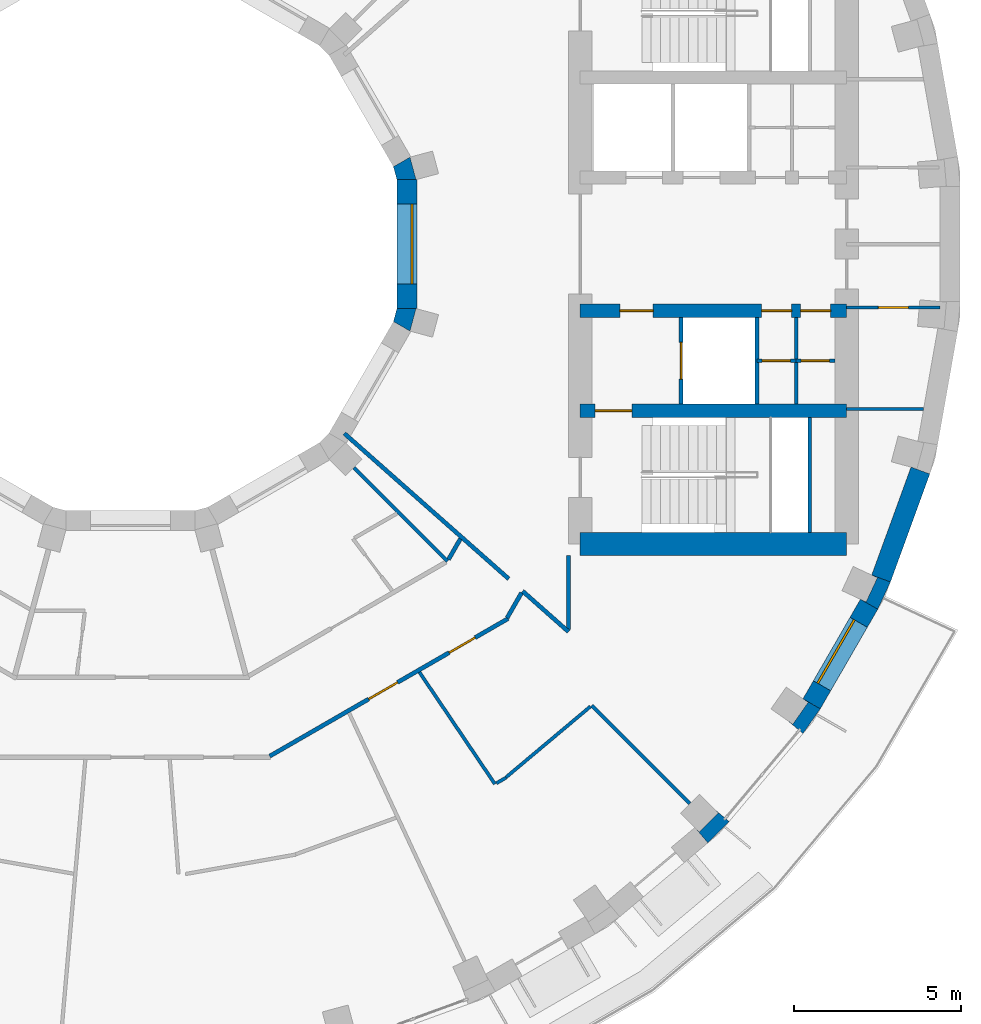
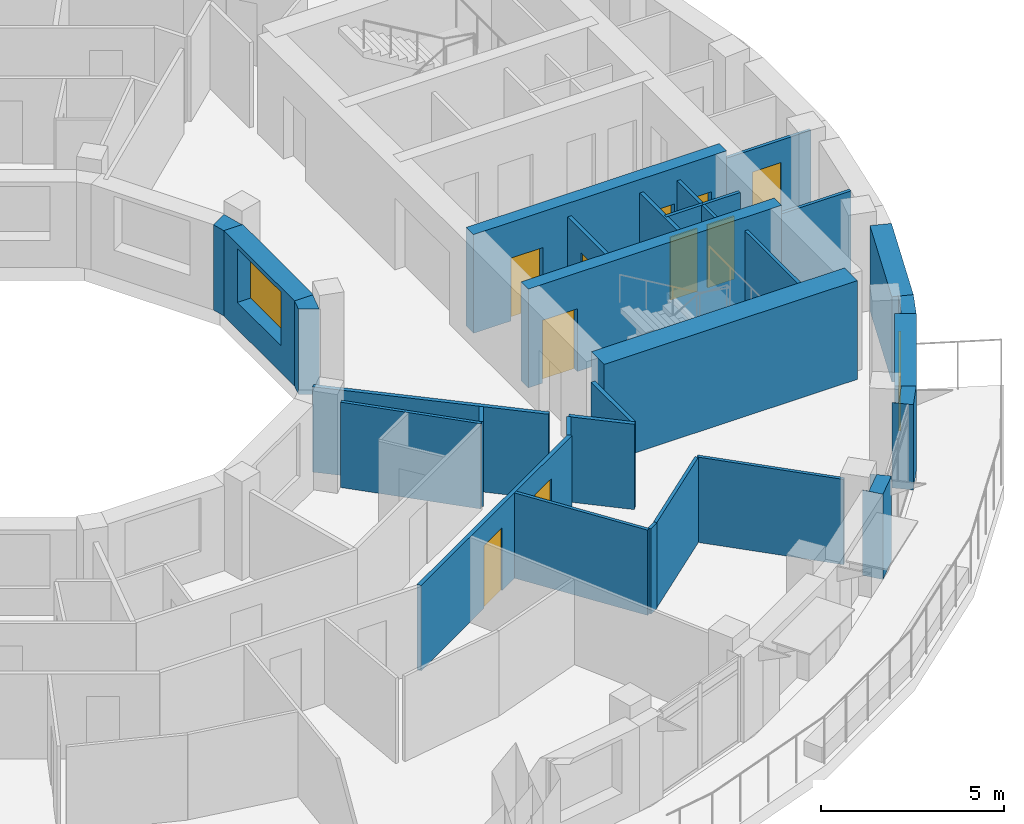
# One storey, part 9 of 15: 30 walls, 10 doors, 2 windows, 12 openings.
"""IFC4 building model written with IfcOpenShell, lengths in metres."""

import ifcopenshell
import ifcopenshell.guid

model = None  # the IFC model being written
_history = None  # IfcOwnerHistory: only IFC2X3 demands one
_inside = {}  # id of a spatial element -> (the spatial element, [elements in it])
_under = {}  # id of a project, library or spatial element -> (it, [spatial elements below it])
_declared = {}  # id of a project -> (the project, [libraries it declares])
_typed = {}  # id of a type object -> (the type object, [elements of that type])
_made_of = {}  # id of a material, layer set ... -> (it, [elements and type objects made of it])


def new_model(schema):
    """Start an empty IFC model of exactly this schema.

    Asked for "IFC4X3", IfcOpenShell would pick the latest addendum, in which some entities
    have other attributes; the version numbers below select the first issue.
    IFC2X3 requires an IfcOwnerHistory on every rooted entity: one is made here for all.
    """
    global model, _history
    if schema == "IFC4X3":
        model = ifcopenshell.file(schema_version=(4, 3, 0, 0))
    else:
        model = ifcopenshell.file(schema=schema)
    _inside.clear()
    _under.clear()
    _declared.clear()
    _typed.clear()
    _made_of.clear()
    _history = None
    if model.schema == "IFC2X3":
        org = make("IfcOrganization", Name="unknown")
        user = make(
            "IfcPersonAndOrganization",
            ThePerson=make("IfcPerson", FamilyName="unknown"),
            TheOrganization=org,
        )
        app = make(
            "IfcApplication",
            ApplicationDeveloper=org,
            Version="unknown",
            ApplicationFullName="unknown",
            ApplicationIdentifier="unknown",
        )
        _history = make(
            "IfcOwnerHistory",
            OwningUser=user,
            OwningApplication=app,
            ChangeAction="ADDED",
            CreationDate=0,
        )
    return model


def make(cls, **values):
    """One entity of the class cls with the attributes given. An attribute that is None is left unset."""
    return model.create_entity(
        cls, **{name: value for name, value in values.items() if value is not None}
    )


def rooted(cls, **values):
    """An entity with a GlobalId (a new one), such as an element, a storey or a relation."""
    return make(cls, GlobalId=ifcopenshell.guid.new(), OwnerHistory=_history, **values)


def si_unit(unit_type, name, prefix=None):
    """IfcSIUnit, for example si_unit("LENGTHUNIT", "METRE", prefix="MILLI")."""
    return make("IfcSIUnit", UnitType=unit_type, Prefix=prefix, Name=name)


def assignment(units):
    """IfcUnitAssignment: the units of a project."""
    return None if units is None else make("IfcUnitAssignment", Units=units)


def point(xyz):
    """IfcCartesianPoint."""
    return None if xyz is None else make("IfcCartesianPoint", Coordinates=xyz)


def direction(xyz):
    """IfcDirection."""
    return None if xyz is None else make("IfcDirection", DirectionRatios=xyz)


def frame(location, z_axis=None, x_axis=None):
    """IfcAxis2Placement3D, a coordinate frame: its origin and axes. An axis left out is left unset."""
    return make(
        "IfcAxis2Placement3D",
        Location=point(location),
        Axis=direction(z_axis),
        RefDirection=direction(x_axis),
    )


def frame_2d(location, x_axis=None):
    """IfcAxis2Placement2D, a coordinate frame in the plane: its origin and x axis."""
    return make(
        "IfcAxis2Placement2D", Location=point(location), RefDirection=direction(x_axis)
    )


def origin():
    """The frame at (0, 0, 0) with its axes left unset."""
    return frame((0.0, 0.0, 0.0))


def place(relative_to, where):
    """IfcLocalPlacement: puts the frame where relative to a parent placement (None: the world)."""
    return make(
        "IfcLocalPlacement", PlacementRelTo=relative_to, RelativePlacement=where
    )


def context(
    kind, dimensions, precision=None, world=None, true_north=None, identifier=None
):
    """IfcGeometricRepresentationContext, for example the 3D "Model" context."""
    return make(
        "IfcGeometricRepresentationContext",
        ContextIdentifier=identifier,
        ContextType=kind,
        CoordinateSpaceDimension=dimensions,
        Precision=precision,
        WorldCoordinateSystem=world,
        TrueNorth=true_north,
    )


def subcontext(parent, identifier, kind, view, scale=None):
    """IfcGeometricRepresentationSubContext, for example "Body" below "Model"."""
    return make(
        "IfcGeometricRepresentationSubContext",
        ContextIdentifier=identifier,
        ContextType=kind,
        ParentContext=parent,
        TargetScale=scale,
        TargetView=view,
    )


def project(units=None, contexts=None):
    """IfcProject with its units and contexts."""
    return rooted(
        "IfcProject",
        Name="project",
        RepresentationContexts=contexts,
        UnitsInContext=assignment(units),
    )


def spatial(cls, under=None, at=None, **own):
    """A site, building, storey or space (cls), placed at a placement, below another one or the project."""
    s = rooted(cls, ObjectPlacement=at, **own)
    if under is not None:
        _under.setdefault(under.id(), (under, []))[1].append(s)
    return s


def polyline(points):
    """IfcPolyline through the points."""
    return make("IfcPolyline", Points=[point(p) for p in points])


def profile(cls, at=None, kind="AREA", **sizes):
    """A parametric profile (cls). Its sizes go by their IFC names, for example OverallWidth=200.0."""
    return make(cls, ProfileType=kind, Position=at, **sizes)


def rectangle(**sizes):
    """IfcRectangleProfileDef."""
    return profile("IfcRectangleProfileDef", **sizes)


def outline(outer, holes=None, kind="AREA"):
    """IfcArbitraryClosedProfileDef: a profile drawn as a closed curve; with holes, ...WithVoids."""
    if holes is None:
        return make("IfcArbitraryClosedProfileDef", ProfileType=kind, OuterCurve=outer)
    return make(
        "IfcArbitraryProfileDefWithVoids",
        ProfileType=kind,
        OuterCurve=outer,
        InnerCurves=holes,
    )


def extrude(swept, where, along, depth):
    """IfcExtrudedAreaSolid: the profile swept, set in the frame where, extruded along a direction by depth."""
    return make(
        "IfcExtrudedAreaSolid",
        SweptArea=swept,
        Position=where,
        ExtrudedDirection=direction(along),
        Depth=depth,
    )


def shape(context_of_items, identifier, shape_type, items):
    """IfcShapeRepresentation: the items that make up one representation, for example the "Body"."""
    return make(
        "IfcShapeRepresentation",
        ContextOfItems=context_of_items,
        RepresentationIdentifier=identifier,
        RepresentationType=shape_type,
        Items=items,
    )


def material(Name=None, Category=None):
    """IfcMaterial."""
    return make("IfcMaterial", Name=Name, Category=Category)


def layer(
    of_material, thickness, ventilated=None, Name=None, Category=None, Priority=None
):
    """IfcMaterialLayer: one layer of a wall or slab, of a material (None: an air gap)."""
    return make(
        "IfcMaterialLayer",
        Material=of_material,
        LayerThickness=thickness,
        IsVentilated=ventilated,
        Name=Name,
        Category=Category,
        Priority=Priority,
    )


def layer_set(layers, Name=None):
    """IfcMaterialLayerSet."""
    return make("IfcMaterialLayerSet", MaterialLayers=layers, LayerSetName=Name)


def made_of(thing, what):
    """Note that an element or type object is made of a material, layer set ...; save() writes the relation."""
    if what is not None:
        _made_of.setdefault(what.id(), (what, []))[1].append(thing)
    return thing


def type_object(cls, material=None, **own):
    """A type object (cls), such as IfcWallType, which elements share."""
    return made_of(rooted(cls, **own), material)


def element(
    cls,
    number,
    at=None,
    inside=None,
    cuts=None,
    type_object=None,
    material=None,
    context=None,
    identifier="Body",
    shape_type=None,
    held_by="IfcProductDefinitionShape",
    body=None,
    shapes=None,
    **own,
):
    """One element of the class cls, such as IfcWall. Its Tag is "e" and its number.

    at: its placement. inside: the storey or other place that contains it. cuts: it is an
    opening in that element (IfcRelVoidsElement). A single representation is given by context,
    identifier, shape_type and body (its items); several are given by shapes. held_by: the class
    of the entity that holds the representations. save() writes the other relations.
    """
    e = rooted(cls, Tag="e%d" % number, ObjectPlacement=at, **own)
    if body is not None:
        shapes = [shape(context, identifier, shape_type, body)]
    if shapes is not None:
        e.Representation = make(held_by, Representations=shapes)
    if inside is not None:
        _inside.setdefault(inside.id(), (inside, []))[1].append(e)
    if cuts is not None:
        rooted(
            "IfcRelVoidsElement", RelatingBuildingElement=cuts, RelatedOpeningElement=e
        )
    if type_object is not None:
        _typed.setdefault(type_object.id(), (type_object, []))[1].append(e)
    return made_of(e, material)


def fill(opening, filler):
    """IfcRelFillsElement: the door or window that sits in an opening."""
    return rooted(
        "IfcRelFillsElement",
        RelatingOpeningElement=opening,
        RelatedBuildingElement=filler,
    )


def aggregate(whole, parts):
    """IfcRelAggregates: a whole, such as a stair, and the parts it consists of."""
    return rooted("IfcRelAggregates", RelatingObject=whole, RelatedObjects=parts)


def save(model, path):
    """Write the relations noted so far, then the file.

    IfcRelAggregates (storeys below a building ...), IfcRelContainedInSpatialStructure (elements
    in a storey), IfcRelDefinesByType, IfcRelAssociatesMaterial and IfcRelDeclares: one each for
    every whole, place, type object, material and project.
    """
    for whole, parts in _under.values():
        aggregate(whole, parts)
    for where, things in _inside.values():
        rooted(
            "IfcRelContainedInSpatialStructure",
            RelatedElements=things,
            RelatingStructure=where,
        )
    for kind, things in _typed.values():
        rooted("IfcRelDefinesByType", RelatedObjects=things, RelatingType=kind)
    for what, things in _made_of.values():
        rooted("IfcRelAssociatesMaterial", RelatedObjects=things, RelatingMaterial=what)
    for by, libraries in _declared.values():
        rooted("IfcRelDeclares", RelatingContext=by, RelatedDefinitions=libraries)
    model.write(path)


model = new_model("IFC4")

# Units and contexts
model_context = context("Model", 3, precision=1e-05, world=origin(), true_north=direction((0.0, 1.0)))
body_context = subcontext(model_context, "Body", "Model", "MODEL_VIEW")
ifc_project = project(units=[si_unit("LENGTHUNIT", "METRE"), si_unit("AREAUNIT", "SQUARE_METRE"), si_unit("VOLUMEUNIT", "CUBIC_METRE"), si_unit("PLANEANGLEUNIT", "RADIAN"), si_unit("MASSUNIT", "GRAM", prefix="KILO")], contexts=[model_context])

# Site, building, storey
site_placement = place(None, origin())
site = spatial("IfcSite", under=ifc_project, at=site_placement, CompositionType="ELEMENT")
building_placement = place(site_placement, origin())
building = spatial("IfcBuilding", under=site, at=building_placement, Name="Saqina Gate Tower", CompositionType="ELEMENT")
storey_placement = place(building_placement, frame((0.0, 0.0, 160.800048828125)))
storey = spatial("IfcBuildingStorey", under=building, at=storey_placement, Name="L45", CompositionType="ELEMENT", Elevation=160.800048828125)

# Walls
ifc_material_1 = material(Name="Brick masonry (buff)", Category="masonry")
wall_type_1 = type_object("IfcWallType", Name="BRICK PIER COPING BUFF", PredefinedType="SOLIDWALL", material=ifc_material_1)
wall_1_placement = place(storey_placement, origin())
element("IfcWall", 1, at=wall_1_placement, inside=storey, type_object=wall_type_1, Name="Pier cap L45 column 32", PredefinedType="SOLIDWALL", context=body_context, shape_type="SweptSolid", body=[
    extrude(outline(polyline([(17.969482421875, -17.329833984375), (17.510009765625, -16.944091796875), (17.642333984375, -17.07666015625), (17.07666015625, -17.642333984375), (16.944091796875, -17.510009765625), (17.329833984375, -17.969482421875), (17.969482421875, -17.329833984375)])), origin(), (0.0, 0.0, 1.0), 2.849853515625),
])
wall_2_placement = place(storey_placement, origin())
element("IfcWall", 2, at=wall_2_placement, inside=storey, type_object=wall_type_1, Name="Pier cap L45 column 33", PredefinedType="SOLIDWALL", context=body_context, shape_type="SweptSolid", body=[
    extrude(outline(polyline([(20.18701171875, -14.687255859375), (20.705810546875, -13.9462890625), (20.186279296875, -13.646240234375), (20.339599609375, -13.753662109375), (19.880859375, -14.408935546875), (19.727294921875, -14.301513671875), (20.18701171875, -14.687255859375)])), origin(), (0.0, 0.0, 1.0), 2.849853515625),
])
wall_3_placement = place(storey_placement, origin())
element("IfcWall", 3, at=wall_3_placement, inside=storey, type_object=wall_type_1, Name="Pier cap L45 column 34", PredefinedType="SOLIDWALL", context=body_context, shape_type="SweptSolid", body=[
    extrude(outline(polyline([(22.81298828125, -10.138916015625), (22.249267578125, -9.93359375), (22.4189453125, -10.0126953125), (22.080810546875, -10.73779296875), (21.9111328125, -10.65869140625), (22.4306640625, -10.958740234375), (22.81298828125, -10.138916015625)])), origin(), (0.0, 0.0, 1.0), 2.849853515625),
])
ifc_material_2 = material(Name="Gypsum board on steel studs", Category="steel")
ifc_layer_1 = layer(ifc_material_2, 0.10009765625)
ifc_layer_set_1 = layer_set([ifc_layer_1], Name="CORE PARTITION")
wall_type_2 = type_object("IfcWallType", Name="CORE PARTITION", PredefinedType="PARTITIONING", material=ifc_layer_set_1)
wall_4_placement = place(storey_placement, frame((21.5, -4.949951171875, 0.0), z_axis=(0.0, 0.0, 1.0), x_axis=(1.0, 0.0, 0.0)))
element("IfcWall", 4, at=wall_4_placement, inside=storey, type_object=wall_type_2, Name="L45-CP-E03", PredefinedType="PARTITIONING", context=body_context, shape_type="SweptSolid", body=[
    extrude(rectangle(XDim=2.306884765625, YDim=0.10009765625, at=frame_2d((1.1533203125, 0.0))), origin(), (0.0, 0.0, 1.0), 2.849853515625),
])

# Wall, opening, door
wall_5_placement = place(storey_placement, frame((21.5, -1.89990234375, 0.0), z_axis=(0.0, 0.0, 1.0), x_axis=(1.0, 0.0, 0.0)))
wall_5 = element("IfcWall", 5, at=wall_5_placement, inside=storey, type_object=wall_type_2, Name="L45-CP-E04", PredefinedType="PARTITIONING", context=body_context, shape_type="SweptSolid", body=[
    extrude(rectangle(XDim=2.804931640625, YDim=0.10009765625, at=frame_2d((1.40234375, 0.0))), origin(), (0.0, 0.0, 1.0), 2.849853515625),
])
opening_1_placement = place(wall_5_placement, frame((0.952392578125, 0.0, 0.0)))
opening_1 = element("IfcOpeningElement", 6, at=opening_1_placement, cuts=wall_5, Name="Opening G13-D97", PredefinedType="OPENING", context=body_context, shape_type="SweptSolid", body=[
    extrude(rectangle(XDim=0.89990234375, YDim=2.10009765625, at=frame_2d((0.449951171875, 1.050048828125))), frame((0.0, 0.06201171875, 0.0), z_axis=(0.0, -1.0, 0.0), x_axis=(1.0, 0.0, 0.0)), (0.0, 0.0, 1.0), 0.1240234375),
])
ifc_material_3 = material(Name="Steel-framed fire door leaf, EI 60", Category="steel")
door_type_1 = type_object("IfcDoorType", Name="SERVICE ROOM DOOR 900", OperationType="SINGLE_SWING_LEFT", PredefinedType="DOOR", material=ifc_material_3)
door_1_placement = place(opening_1_placement, frame((0.89990234375, 0.0, 0.0), z_axis=(0.0, 0.0, 1.0), x_axis=(-1.0, 0.0, 0.0)))
door_1 = element("IfcDoor", 7, at=door_1_placement, inside=storey, type_object=door_type_1, Name="L45-CD-E08", OperationType="SINGLE_SWING_RIGHT", OverallHeight=2.10009765625, OverallWidth=0.89990234375, PredefinedType="DOOR", context=body_context, shape_type="SweptSolid", body=[
    extrude(rectangle(XDim=0.89990234375, YDim=2.10009765625, at=frame_2d((0.449951171875, 1.050048828125))), frame((0.0, 0.02490234375, 0.0), z_axis=(0.0, -1.0, 0.0), x_axis=(1.0, 0.0, 0.0)), (0.0, 0.0, 1.0), 0.050048828125),
])
fill(opening_1, door_1)

# Wall
wall_6_placement = place(storey_placement, frame((19.97998046875, -4.800048828125, 0.0), z_axis=(0.0, 0.0, 1.0), x_axis=(0.0, 1.0, 0.0)))
element("IfcWall", 8, at=wall_6_placement, inside=storey, type_object=wall_type_2, Name="L45-CP-E11", PredefinedType="PARTITIONING", context=body_context, shape_type="SweptSolid", body=[
    extrude(rectangle(XDim=2.60009765625, YDim=0.10009765625, at=frame_2d((1.300048828125, 0.0))), origin(), (0.0, 0.0, 1.0), 2.849853515625),
])

# Wall, opening, door
wall_7_placement = place(storey_placement, frame((18.81005859375, -3.5, 0.0), z_axis=(0.0, 0.0, 1.0), x_axis=(1.0, 0.0, 0.0)))
wall_7 = element("IfcWall", 9, at=wall_7_placement, inside=storey, type_object=wall_type_2, Name="L45-CP-E14", PredefinedType="PARTITIONING", context=body_context, shape_type="SweptSolid", body=[
    extrude(rectangle(XDim=1.169921875, YDim=0.10009765625, at=frame_2d((0.5849609375, 0.0))), origin(), (0.0, 0.0, 1.0), 2.849853515625),
])
opening_2_placement = place(wall_7_placement, frame((0.14990234375, 0.0, 0.0)))
opening_2 = element("IfcOpeningElement", 10, at=opening_2_placement, cuts=wall_7, Name="Opening G13-D101", PredefinedType="OPENING", context=body_context, shape_type="SweptSolid", body=[
    extrude(rectangle(XDim=0.85009765625, YDim=2.10009765625, at=frame_2d((0.425048828125, 1.050048828125))), frame((0.0, 0.06201171875, 0.0), z_axis=(0.0, -1.0, 0.0), x_axis=(1.0, 0.0, 0.0)), (0.0, 0.0, 1.0), 0.1240234375),
])
ifc_material_4 = material(Name="Steel-framed fire door leaf, EI 60", Category="steel")
door_type_2 = type_object("IfcDoorType", Name="SERVICE ROOM DOOR 850", OperationType="SINGLE_SWING_LEFT", PredefinedType="DOOR", material=ifc_material_4)
door_2_placement = place(opening_2_placement, frame((0.85009765625, 0.0, 0.0), z_axis=(0.0, 0.0, 1.0), x_axis=(-1.0, 0.0, 0.0)))
door_2 = element("IfcDoor", 11, at=door_2_placement, inside=storey, type_object=door_type_2, Name="L45-CD-E12", OperationType="SINGLE_SWING_RIGHT", OverallHeight=2.10009765625, OverallWidth=0.85009765625, PredefinedType="DOOR", context=body_context, shape_type="SweptSolid", body=[
    extrude(rectangle(XDim=0.85009765625, YDim=2.10009765625, at=frame_2d((0.425048828125, 1.050048828125))), frame((0.0, 0.02490234375, 0.0), z_axis=(0.0, -1.0, 0.0), x_axis=(1.0, 0.0, 0.0)), (0.0, 0.0, 1.0), 0.050048828125),
])
fill(opening_2, door_2)

wall_8_placement = place(storey_placement, frame((19.97998046875, -3.5, 0.0), z_axis=(0.0, 0.0, 1.0), x_axis=(1.0, 0.0, 0.0)))
wall_8 = element("IfcWall", 12, at=wall_8_placement, inside=storey, type_object=wall_type_2, Name="L45-CP-E15", PredefinedType="PARTITIONING", context=body_context, shape_type="SweptSolid", body=[
    extrude(rectangle(XDim=1.169921875, YDim=0.10009765625, at=frame_2d((0.5849609375, 0.0))), origin(), (0.0, 0.0, 1.0), 2.849853515625),
])
opening_3_placement = place(wall_8_placement, frame((0.14990234375, 0.0, 0.0)))
opening_3 = element("IfcOpeningElement", 13, at=opening_3_placement, cuts=wall_8, Name="Opening G13-D102", PredefinedType="OPENING", context=body_context, shape_type="SweptSolid", body=[
    extrude(rectangle(XDim=0.85009765625, YDim=2.10009765625, at=frame_2d((0.425048828125, 1.050048828125))), frame((0.0, 0.06201171875, 0.0), z_axis=(0.0, -1.0, 0.0), x_axis=(1.0, 0.0, 0.0)), (0.0, 0.0, 1.0), 0.1240234375),
])
door_3_placement = place(opening_3_placement, frame((0.85009765625, 0.0, 0.0), z_axis=(0.0, 0.0, 1.0), x_axis=(-1.0, 0.0, 0.0)))
door_3 = element("IfcDoor", 14, at=door_3_placement, inside=storey, type_object=door_type_2, Name="L45-CD-E13", OperationType="SINGLE_SWING_LEFT", OverallHeight=2.10009765625, OverallWidth=0.85009765625, PredefinedType="DOOR", context=body_context, shape_type="SweptSolid", body=[
    extrude(rectangle(XDim=0.85009765625, YDim=2.10009765625, at=frame_2d((0.425048828125, 1.050048828125))), frame((0.0, 0.02490234375, 0.0), z_axis=(0.0, -1.0, 0.0), x_axis=(1.0, 0.0, 0.0)), (0.0, 0.0, 1.0), 0.050048828125),
])
fill(opening_3, door_3)

# Wall, opening, window
ifc_material_5 = material(Name="Brick masonry (buff)", Category="masonry")
ifc_layer_2 = layer(ifc_material_5, 0.60009765625)
ifc_layer_set_2 = layer_set([ifc_layer_2], Name="FW-BRICK-BUFF")
wall_type_3 = type_object("IfcWallType", Name="FW-BRICK-BUFF", PredefinedType="SOLIDWALL", material=ifc_layer_set_2)
wall_9_placement = place(storey_placement, frame((20.446044921875, -13.796142578125, 0.0), z_axis=(0.0, 0.0, 1.0), x_axis=(0.499998129301, 0.86602648383, 0.0)))
wall_9 = element("IfcWall", 15, at=wall_9_placement, inside=storey, type_object=wall_type_3, Name="Facade wall L45 facet 33", PredefinedType="SOLIDWALL", context=body_context, shape_type="SweptSolid", body=[
    extrude(rectangle(XDim=3.44970703125, YDim=0.60009765625, at=frame_2d((1.724853515625, 0.0))), origin(), (0.0, 0.0, 1.0), 2.849853515625),
])
opening_4_placement = place(wall_9_placement, frame((0.625, 0.0, 0.89990234375)))
opening_4 = element("IfcOpeningElement", 16, at=opening_4_placement, cuts=wall_9, Name="Opening G13-W22", PredefinedType="OPENING", context=body_context, shape_type="SweptSolid", body=[
    extrude(rectangle(XDim=2.199951171875, YDim=1.800048828125, at=frame_2d((1.10009765625, 0.89990234375))), frame((0.0, 0.31201171875, 0.0), z_axis=(0.0, -1.0, 0.0), x_axis=(1.0, 0.0, 0.0)), (0.0, 0.0, 1.0), 0.6240234375),
])
ifc_material_6 = material(Name="Aluminium glazing", Category="aluminium")
window_type_1 = type_object("IfcWindowType", Name="WN-C", PartitioningType="SINGLE_PANEL", PredefinedType="WINDOW", material=ifc_material_6)
window_1_placement = place(opening_4_placement, origin())
window_1 = element("IfcWindow", 17, at=window_1_placement, inside=storey, type_object=window_type_1, Name="Window L45 facet 33", OverallHeight=1.800048828125, OverallWidth=2.199951171875, PartitioningType="SINGLE_PANEL", PredefinedType="WINDOW", context=body_context, shape_type="SweptSolid", body=[
    extrude(rectangle(XDim=2.199951171875, YDim=1.800048828125, at=frame_2d((1.10009765625, 0.89990234375))), frame((0.0, 0.179931640625, 0.0), z_axis=(0.0, -1.0, 0.0), x_axis=(1.0, 0.0, 0.0)), (0.0, 0.0, 1.0), 0.06005859375),
])
fill(opening_4, window_1)

# Wall
ifc_material_7 = material(Name="Glazed ceramic tile", Category="ceramic")
ifc_layer_3 = layer(ifc_material_7, 0.60009765625)
ifc_layer_set_3 = layer_set([ifc_layer_3], Name="FW-TILE")
wall_type_4 = type_object("IfcWallType", Name="FW-TILE", PredefinedType="SOLIDWALL", material=ifc_layer_set_3)
wall_10_placement = place(storey_placement, frame((22.531005859375, -10.0361328125, 0.0), z_axis=(0.0, 0.0, 1.0), x_axis=(0.342032843455, 0.93968799822, 0.0)))
element("IfcWall", 18, at=wall_10_placement, inside=storey, type_object=wall_type_4, Name="Facade wall L45 facet 34", PredefinedType="SOLIDWALL", context=body_context, shape_type="SweptSolid", body=[
    extrude(rectangle(XDim=3.44970703125, YDim=0.60009765625, at=frame_2d((1.724853515625, 0.0))), origin(), (0.0, 0.0, 1.0), 2.849853515625),
])

# Wall, opening, window
ifc_material_8 = material(Name="Glazed ceramic tile", Category="ceramic")
ifc_layer_4 = layer(ifc_material_8, 0.60009765625)
ifc_layer_set_4 = layer_set([ifc_layer_4], Name="IW-TILE")
wall_type_5 = type_object("IfcWallType", Name="IW-TILE", PredefinedType="SOLIDWALL", material=ifc_layer_set_4)
wall_11_placement = place(storey_placement, frame((8.300048828125, -1.934814453125, 0.0), z_axis=(0.0, 0.0, 1.0), x_axis=(0.0, 1.0, 0.0)))
wall_11 = element("IfcWall", 19, at=wall_11_placement, inside=storey, type_object=wall_type_5, Name="Well wall L45 facet 12", PredefinedType="SOLIDWALL", context=body_context, shape_type="SweptSolid", body=[
    extrude(rectangle(XDim=3.86962890625, YDim=0.60009765625, at=frame_2d((1.934814453125, 0.0))), origin(), (0.0, 0.0, 1.0), 2.849853515625),
])
opening_5_placement = place(wall_11_placement, frame((0.73486328125, 0.0, 0.89990234375)))
opening_5 = element("IfcOpeningElement", 20, at=opening_5_placement, cuts=wall_11, Name="Opening G13-W34", PredefinedType="OPENING", context=body_context, shape_type="SweptSolid", body=[
    extrude(rectangle(XDim=2.39990234375, YDim=1.800048828125, at=frame_2d((1.199951171875, 0.89990234375))), frame((0.0, 0.31201171875, 0.0), z_axis=(0.0, -1.0, 0.0), x_axis=(1.0, 0.0, 0.0)), (0.0, 0.0, 1.0), 0.6240234375),
])
ifc_material_9 = material(Name="Aluminium glazing", Category="aluminium")
window_type_2 = type_object("IfcWindowType", Name="WN-W", PartitioningType="SINGLE_PANEL", PredefinedType="WINDOW", material=ifc_material_9)
window_2_placement = place(opening_5_placement, origin())
window_2 = element("IfcWindow", 21, at=window_2_placement, inside=storey, type_object=window_type_2, Name="Well window L45 facet 12", OverallHeight=1.800048828125, OverallWidth=2.39990234375, PartitioningType="SINGLE_PANEL", PredefinedType="WINDOW", context=body_context, shape_type="SweptSolid", body=[
    extrude(rectangle(XDim=2.39990234375, YDim=1.800048828125, at=frame_2d((1.199951171875, 0.89990234375))), frame((0.0, -0.119873046875, 0.0), z_axis=(0.0, -1.0, 0.0), x_axis=(1.0, 0.0, 0.0)), (0.0, 0.0, 1.0), 0.06005859375),
])
fill(opening_5, window_2)

# Walls
ifc_material_10 = material(Name="Gypsum board on steel studs, 100 mm", Category="steel")
ifc_layer_5 = layer(ifc_material_10, 0.10009765625)
ifc_layer_set_5 = layer_set([ifc_layer_5], Name="PARTITION 100")
wall_type_6 = type_object("IfcWallType", Name="PARTITION 100", PredefinedType="PARTITIONING", material=ifc_layer_set_5)
wall_12_placement = place(storey_placement, frame((8.674072265625, -12.8466796875, 0.0), z_axis=(0.0, 0.0, 1.0), x_axis=(0.559460436722, -0.828857056279, 0.0)))
element("IfcWall", 22, at=wall_12_placement, inside=storey, type_object=wall_type_6, Name="PARTITION PW3-12", PredefinedType="PARTITIONING", context=body_context, shape_type="SweptSolid", body=[
    extrude(rectangle(XDim=4.0517578125, YDim=0.10009765625, at=frame_2d((2.02587890625, 0.0))), origin(), (0.0, 0.0, 1.0), 2.849853515625),
])
wall_13_placement = place(storey_placement, frame((6.7119140625, -6.7119140625, 0.0), z_axis=(0.0, 0.0, 1.0), x_axis=(0.707106781187, -0.707106781187, 0.0)))
element("IfcWall", 23, at=wall_13_placement, inside=storey, type_object=wall_type_6, Name="PARTITION PW3-19", PredefinedType="PARTITIONING", context=body_context, shape_type="SweptSolid", body=[
    extrude(rectangle(XDim=3.967041015625, YDim=0.10009765625, at=frame_2d((1.9833984375, 0.0))), origin(), (0.0, 0.0, 1.0), 2.849853515625),
])
wall_14_placement = place(storey_placement, frame((13.844970703125, -13.844970703125, 0.0), z_axis=(0.0, 0.0, 1.0), x_axis=(0.707106781187, -0.707106781187, 0.0)))
element("IfcWall", 24, at=wall_14_placement, inside=storey, type_object=wall_type_6, Name="PARTITION PW3-20", PredefinedType="PARTITIONING", context=body_context, shape_type="SweptSolid", body=[
    extrude(rectangle(XDim=4.16015625, YDim=0.10009765625, at=frame_2d((2.080078125, 0.0))), origin(), (0.0, 0.0, 1.0), 2.849853515625),
])
wall_15_placement = place(storey_placement, frame((10.984375, -16.179931640625, 0.0), z_axis=(0.0, 0.0, 1.0), x_axis=(0.865942374699, 0.500143783026, 0.0)))
element("IfcWall", 25, at=wall_15_placement, inside=storey, type_object=wall_type_6, Name="PARTITION PW3-42", PredefinedType="PARTITIONING", context=body_context, shape_type="SweptSolid", body=[
    extrude(rectangle(XDim=0.33447265625, YDim=0.10009765625, at=frame_2d((0.167236328125, 0.0))), origin(), (0.0, 0.0, 1.0), 2.849853515625),
])
wall_16_placement = place(storey_placement, frame((11.2685546875, -16.00634765625, 0.0), z_axis=(0.0, 0.0, 1.0), x_axis=(0.766157600424, 0.642652729951, 0.0)))
element("IfcWall", 26, at=wall_16_placement, inside=storey, type_object=wall_type_6, Name="PARTITION PW3-49", PredefinedType="PARTITIONING", context=body_context, shape_type="SweptSolid", body=[
    extrude(rectangle(XDim=3.31298828125, YDim=0.10009765625, at=frame_2d((1.656494140625, 0.0))), origin(), (0.0, 0.0, 1.0), 2.849853515625),
])
ifc_material_11 = material(Name="Gypsum board on steel studs, 125 mm, fire rated", Category="steel")
ifc_layer_6 = layer(ifc_material_11, 0.125)
ifc_layer_set_6 = layer_set([ifc_layer_6], Name="PARTITION EI 30 125")
wall_type_7 = type_object("IfcWallType", Name="PARTITION EI 30 125", PredefinedType="PARTITIONING", material=ifc_layer_set_6)
wall_17_placement = place(storey_placement, frame((6.419921875, -5.679931640625, 0.0), z_axis=(0.0, 0.0, 1.0), x_axis=(0.748956953748, -0.662618654607, 0.0)))
element("IfcWall", 27, at=wall_17_placement, inside=storey, type_object=wall_type_7, Name="PARTITION PW1-08", PredefinedType="PARTITIONING", context=body_context, shape_type="SweptSolid", body=[
    extrude(rectangle(XDim=6.588623046875, YDim=0.125, at=frame_2d((3.29443359375, 0.0))), origin(), (0.0, 0.0, 1.0), 2.849853515625),
])
wall_18_placement = place(storey_placement, frame((11.77001953125, -10.4130859375, 0.0), z_axis=(0.0, 0.0, 1.0), x_axis=(0.748920683101, -0.662659649008, 0.0)))
element("IfcWall", 28, at=wall_18_placement, inside=storey, type_object=wall_type_7, Name="PARTITION PW1-09", PredefinedType="PARTITIONING", context=body_context, shape_type="SweptSolid", body=[
    extrude(rectangle(XDim=1.842529296875, YDim=0.125, at=frame_2d((0.92138671875, 0.0))), origin(), (0.0, 0.0, 1.0), 2.849853515625),
])

# Wall, openings, doors
wall_19_placement = place(storey_placement, frame((4.18017578125, -15.36865234375, 0.0), z_axis=(0.0, 0.0, 1.0), x_axis=(0.86608029966, 0.499904905498, 0.0)))
wall_19 = element("IfcWall", 29, at=wall_19_placement, inside=storey, type_object=wall_type_7, Name="PARTITION PW1-24", PredefinedType="PARTITIONING", context=body_context, shape_type="SweptSolid", body=[
    extrude(rectangle(XDim=8.2626953125, YDim=0.125, at=frame_2d((4.13134765625, 0.0))), origin(), (0.0, 0.0, 1.0), 2.849853515625),
])
opening_6_placement = place(wall_19_placement, frame((3.432373046875, 0.0, 0.0)))
opening_6 = element("IfcOpeningElement", 30, at=opening_6_placement, cuts=wall_19, Name="Opening G13-D37", PredefinedType="OPENING", context=body_context, shape_type="SweptSolid", body=[
    extrude(rectangle(XDim=1.0, YDim=2.10009765625, at=frame_2d((0.5, 1.050048828125))), frame((0.0, 0.074462890625, 0.0), z_axis=(0.0, -1.0, 0.0), x_axis=(1.0, 0.0, 0.0)), (0.0, 0.0, 1.0), 0.14892578125),
])
opening_7_placement = place(wall_19_placement, frame((6.218505859375, 0.0, 0.0)))
opening_7 = element("IfcOpeningElement", 31, at=opening_7_placement, cuts=wall_19, Name="Opening G13-D40", PredefinedType="OPENING", context=body_context, shape_type="SweptSolid", body=[
    extrude(rectangle(XDim=0.89990234375, YDim=2.10009765625, at=frame_2d((0.449951171875, 1.050048828125))), frame((0.0, 0.074462890625, 0.0), z_axis=(0.0, -1.0, 0.0), x_axis=(1.0, 0.0, 0.0)), (0.0, 0.0, 1.0), 0.14892578125),
])
ifc_material_12 = material(Name="Fire door leaf EI 30, 1000 mm")
door_type_3 = type_object("IfcDoorType", Name="DOOR 1000 EI 30", OperationType="SINGLE_SWING_LEFT", PredefinedType="DOOR", material=ifc_material_12)
door_4_placement = place(opening_6_placement, frame((1.0, 0.0, 0.0), z_axis=(0.0, 0.0, 1.0), x_axis=(-1.0, 0.0, 0.0)))
door_4 = element("IfcDoor", 32, at=door_4_placement, inside=storey, type_object=door_type_3, Name="DOOR G13-D37", OperationType="SINGLE_SWING_RIGHT", OverallHeight=2.10009765625, OverallWidth=1.0, PredefinedType="DOOR", context=body_context, shape_type="SweptSolid", body=[
    extrude(rectangle(XDim=1.0, YDim=2.10009765625, at=frame_2d((0.5, 1.050048828125))), frame((0.0, 0.02490234375, 0.0), z_axis=(0.0, -1.0, 0.0), x_axis=(1.0, 0.0, 0.0)), (0.0, 0.0, 1.0), 0.050048828125),
])
fill(opening_6, door_4)
ifc_material_13 = material(Name="Fire door leaf EI 30, 900 mm")
door_type_4 = type_object("IfcDoorType", Name="DOOR 900 EI 30", OperationType="SINGLE_SWING_LEFT", PredefinedType="DOOR", material=ifc_material_13)
door_5_placement = place(opening_7_placement, frame((0.89990234375, 0.0, 0.0), z_axis=(0.0, 0.0, 1.0), x_axis=(-1.0, 0.0, 0.0)))
door_5 = element("IfcDoor", 33, at=door_5_placement, inside=storey, type_object=door_type_4, Name="DOOR G13-D40", OperationType="SINGLE_SWING_LEFT", OverallHeight=2.10009765625, OverallWidth=0.89990234375, PredefinedType="DOOR", context=body_context, shape_type="SweptSolid", body=[
    extrude(rectangle(XDim=0.89990234375, YDim=2.10009765625, at=frame_2d((0.449951171875, 1.050048828125))), frame((0.0, 0.02490234375, 0.0), z_axis=(0.0, -1.0, 0.0), x_axis=(1.0, 0.0, 0.0)), (0.0, 0.0, 1.0), 0.050048828125),
])
fill(opening_7, door_5)

# Walls
wall_20_placement = place(storey_placement, frame((9.54833984375, -9.462890625, 0.0), z_axis=(0.0, 0.0, 1.0), x_axis=(0.499821239653, 0.866128586522, 0.0)))
element("IfcWall", 34, at=wall_20_placement, inside=storey, type_object=wall_type_7, Name="PARTITION PW1-34", PredefinedType="PARTITIONING", context=body_context, shape_type="SweptSolid", body=[
    extrude(rectangle(XDim=0.713134765625, YDim=0.125, at=frame_2d((0.3564453125, 0.0))), origin(), (0.0, 0.0, 1.0), 2.849853515625),
])
wall_21_placement = place(storey_placement, frame((11.30517578125, -11.219970703125, 0.0), z_axis=(0.0, 0.0, 1.0), x_axis=(0.499162724547, 0.86650826564, 0.0)))
element("IfcWall", 35, at=wall_21_placement, inside=storey, type_object=wall_type_7, Name="PARTITION PW1-37", PredefinedType="PARTITIONING", context=body_context, shape_type="SweptSolid", body=[
    extrude(rectangle(XDim=0.86865234375, YDim=0.125, at=frame_2d((0.434326171875, 0.0))), origin(), (0.0, 0.0, 1.0), 2.849853515625),
])
wall_22_placement = place(storey_placement, frame((13.14990234375, -11.571533203125, 0.0), z_axis=(0.0, 0.0, 1.0), x_axis=(0.0, 1.0, 0.0)))
element("IfcWall", 36, at=wall_22_placement, inside=storey, type_object=wall_type_7, Name="PARTITION PW1-38", PredefinedType="PARTITIONING", context=body_context, shape_type="SweptSolid", body=[
    extrude(rectangle(XDim=2.221435546875, YDim=0.125, at=frame_2d((1.11083984375, 0.0))), origin(), (0.0, 0.0, 1.0), 2.849853515625),
])

# Wall, opening, door
ifc_material_14 = material(Name="Autoclaved aerated concrete block", Category="concrete")
ifc_layer_7 = layer(ifc_material_14, 0.1201171875)
ifc_layer_set_7 = layer_set([ifc_layer_7], Name="SHAFT PARTITION")
wall_type_8 = type_object("IfcWallType", Name="SHAFT PARTITION", PredefinedType="PARTITIONING", material=ifc_layer_set_7)
wall_23_placement = place(storey_placement, frame((16.530029296875, -4.800048828125, 0.0), z_axis=(0.0, 0.0, 1.0), x_axis=(0.0, 1.0, 0.0)))
wall_23 = element("IfcWall", 37, at=wall_23_placement, inside=storey, type_object=wall_type_8, Name="L45-CP-E09", PredefinedType="PARTITIONING", context=body_context, shape_type="SweptSolid", body=[
    extrude(rectangle(XDim=2.60009765625, YDim=0.1201171875, at=frame_2d((1.300048828125, 0.0))), origin(), (0.0, 0.0, 1.0), 2.849853515625),
])
opening_8_placement = place(wall_23_placement, frame((0.75, 0.0, 0.0)))
opening_8 = element("IfcOpeningElement", 38, at=opening_8_placement, cuts=wall_23, Name="Opening G13-LD3", PredefinedType="OPENING", context=body_context, shape_type="SweptSolid", body=[
    extrude(rectangle(XDim=1.10009765625, YDim=2.10009765625, at=frame_2d((0.550048828125, 1.050048828125))), frame((0.0, 0.072021484375, 0.0), z_axis=(0.0, -1.0, 0.0), x_axis=(1.0, 0.0, 0.0)), (0.0, 0.0, 1.0), 0.14404296875),
])
ifc_material_15 = material(Name="Stainless steel", Category="steel")
door_type_5 = type_object("IfcDoorType", Name="LANDING DOOR", OperationType="DOUBLE_DOOR_SLIDING", PredefinedType="DOOR", material=ifc_material_15)
door_6_placement = place(opening_8_placement, origin())
door_6 = element("IfcDoor", 39, at=door_6_placement, inside=storey, type_object=door_type_5, Name="LANDING DOOR FF1", OperationType="DOUBLE_DOOR_SLIDING", OverallHeight=2.10009765625, OverallWidth=1.10009765625, PredefinedType="DOOR", context=body_context, shape_type="SweptSolid", body=[
    extrude(rectangle(XDim=1.10009765625, YDim=2.10009765625, at=frame_2d((0.550048828125, 1.050048828125))), frame((0.0, 0.02490234375, 0.0), z_axis=(0.0, -1.0, 0.0), x_axis=(1.0, 0.0, 0.0)), (0.0, 0.0, 1.0), 0.050048828125),
])
fill(opening_8, door_6)

# Walls
wall_24_placement = place(storey_placement, frame((18.81005859375, -4.800048828125, 0.0), z_axis=(0.0, 0.0, 1.0), x_axis=(0.0, 1.0, 0.0)))
element("IfcWall", 40, at=wall_24_placement, inside=storey, type_object=wall_type_8, Name="L45-CP-E10", PredefinedType="PARTITIONING", context=body_context, shape_type="SweptSolid", body=[
    extrude(rectangle(XDim=2.60009765625, YDim=0.1201171875, at=frame_2d((1.300048828125, 0.0))), origin(), (0.0, 0.0, 1.0), 2.849853515625),
])
ifc_material_16 = material(Name="Autoclaved aerated concrete block", Category="concrete")
ifc_layer_8 = layer(ifc_material_16, 0.10009765625)
ifc_layer_set_8 = layer_set([ifc_layer_8], Name="STAIR ENCLOSURE WALL")
wall_type_9 = type_object("IfcWallType", Name="STAIR ENCLOSURE WALL", PredefinedType="PARTITIONING", material=ifc_layer_set_8)
wall_25_placement = place(storey_placement, frame((20.389892578125, -8.64990234375, 0.0), z_axis=(0.0, 0.0, 1.0), x_axis=(0.0, 1.0, 0.0)))
element("IfcWall", 41, at=wall_25_placement, inside=storey, type_object=wall_type_9, Name="L45-CP-E17", PredefinedType="PARTITIONING", context=body_context, shape_type="SweptSolid", body=[
    extrude(rectangle(XDim=3.449951171875, YDim=0.10009765625, at=frame_2d((1.72509765625, 0.0))), origin(), (0.0, 0.0, 1.0), 2.849853515625),
])

# Wall, opening, door
ifc_material_17 = material(Name="Concrete C60/75", Category="concrete")
ifc_layer_9 = layer(ifc_material_17, 0.39990234375)
ifc_layer_set_9 = layer_set([ifc_layer_9], Name="Concrete C60/75")
wall_type_10 = type_object("IfcWallType", Name="STR-CORE WALL-C-I", PredefinedType="SHEAR", material=ifc_layer_set_9)
wall_26_placement = place(storey_placement, frame((13.5, -5.0, 0.0), z_axis=(0.0, 0.0, 1.0), x_axis=(1.0, 0.0, 0.0)))
wall_26 = element("IfcWall", 42, at=wall_26_placement, inside=storey, type_object=wall_type_10, Name="CORE WALL L45 E-X2", PredefinedType="SHEAR", context=body_context, shape_type="SweptSolid", body=[
    extrude(rectangle(XDim=8.0, YDim=0.39990234375, at=frame_2d((4.0, 0.0))), origin(), (0.0, 0.0, 1.0), 3.300048828125),
])
opening_9_placement = place(wall_26_placement, frame((0.449951171875, 0.0, 0.0)))
opening_9 = element("IfcOpeningElement", 43, at=opening_9_placement, cuts=wall_26, Name="Opening G13-D103", PredefinedType="OPENING", context=body_context, shape_type="SweptSolid", body=[
    extrude(rectangle(XDim=1.10009765625, YDim=2.10009765625, at=frame_2d((0.550048828125, 1.050048828125))), frame((0.0, 0.2119140625, 0.0), z_axis=(0.0, -1.0, 0.0), x_axis=(1.0, 0.0, 0.0)), (0.0, 0.0, 1.0), 0.423828125),
])
ifc_material_18 = material(Name="Steel", Category="steel")
door_type_6 = type_object("IfcDoorType", Name="FIRE LOBBY DOOR EI 60 WIDE", OperationType="SINGLE_SWING_LEFT", PredefinedType="DOOR", material=ifc_material_18)
door_7_placement = place(opening_9_placement, frame((1.10009765625, 0.0, 0.0), z_axis=(0.0, 0.0, 1.0), x_axis=(-1.0, 0.0, 0.0)))
door_7 = element("IfcDoor", 44, at=door_7_placement, inside=storey, type_object=door_type_6, Name="L45-CD-E14", OperationType="SINGLE_SWING_RIGHT", OverallHeight=2.10009765625, OverallWidth=1.10009765625, PredefinedType="DOOR", context=body_context, shape_type="SweptSolid", body=[
    extrude(rectangle(XDim=1.10009765625, YDim=2.10009765625, at=frame_2d((0.550048828125, 1.050048828125))), frame((0.0, 0.02490234375, 0.0), z_axis=(0.0, -1.0, 0.0), x_axis=(1.0, 0.0, 0.0)), (0.0, 0.0, 1.0), 0.050048828125),
])
fill(opening_9, door_7)

# Wall, openings, doors
wall_27_placement = place(storey_placement, frame((13.5, -2.0, 0.0), z_axis=(0.0, 0.0, 1.0), x_axis=(1.0, 0.0, 0.0)))
wall_27 = element("IfcWall", 45, at=wall_27_placement, inside=storey, type_object=wall_type_10, Name="CORE WALL L45 E-L2", PredefinedType="SHEAR", context=body_context, shape_type="SweptSolid", body=[
    extrude(rectangle(XDim=8.0, YDim=0.39990234375, at=frame_2d((4.0, 0.0))), origin(), (0.0, 0.0, 1.0), 3.300048828125),
])
opening_10_placement = place(wall_27_placement, frame((1.18994140625, 0.0, 0.0)))
opening_10 = element("IfcOpeningElement", 46, at=opening_10_placement, cuts=wall_27, Name="Opening G13-D92", PredefinedType="OPENING", context=body_context, shape_type="SweptSolid", body=[
    extrude(rectangle(XDim=1.0, YDim=2.10009765625, at=frame_2d((0.5, 1.050048828125))), frame((0.0, 0.2119140625, 0.0), z_axis=(0.0, -1.0, 0.0), x_axis=(1.0, 0.0, 0.0)), (0.0, 0.0, 1.0), 0.423828125),
])
opening_11_placement = place(wall_27_placement, frame((5.445068359375, 0.0, 0.0)))
opening_11 = element("IfcOpeningElement", 47, at=opening_11_placement, cuts=wall_27, Name="Opening G13-D93", PredefinedType="OPENING", context=body_context, shape_type="SweptSolid", body=[
    extrude(rectangle(XDim=0.89990234375, YDim=2.10009765625, at=frame_2d((0.449951171875, 1.050048828125))), frame((0.0, 0.2119140625, 0.0), z_axis=(0.0, -1.0, 0.0), x_axis=(1.0, 0.0, 0.0)), (0.0, 0.0, 1.0), 0.423828125),
])
opening_12_placement = place(wall_27_placement, frame((6.614990234375, 0.0, 0.0)))
opening_12 = element("IfcOpeningElement", 48, at=opening_12_placement, cuts=wall_27, Name="Opening G13-D94", PredefinedType="OPENING", context=body_context, shape_type="SweptSolid", body=[
    extrude(rectangle(XDim=0.89990234375, YDim=2.10009765625, at=frame_2d((0.449951171875, 1.050048828125))), frame((0.0, 0.2119140625, 0.0), z_axis=(0.0, -1.0, 0.0), x_axis=(1.0, 0.0, 0.0)), (0.0, 0.0, 1.0), 0.423828125),
])
ifc_material_19 = material(Name="Steel", Category="steel")
door_type_7 = type_object("IfcDoorType", Name="FIRE LOBBY DOOR EI 60", OperationType="SINGLE_SWING_LEFT", PredefinedType="DOOR", material=ifc_material_19)
door_8_placement = place(opening_10_placement, origin())
door_8 = element("IfcDoor", 49, at=door_8_placement, inside=storey, type_object=door_type_7, Name="L45-CD-E03", OperationType="SINGLE_SWING_LEFT", OverallHeight=2.10009765625, OverallWidth=1.0, PredefinedType="DOOR", context=body_context, shape_type="SweptSolid", body=[
    extrude(rectangle(XDim=1.0, YDim=2.10009765625, at=frame_2d((0.5, 1.050048828125))), frame((0.0, 0.02490234375, 0.0), z_axis=(0.0, -1.0, 0.0), x_axis=(1.0, 0.0, 0.0)), (0.0, 0.0, 1.0), 0.050048828125),
])
fill(opening_10, door_8)
door_9_placement = place(opening_11_placement, frame((0.89990234375, 0.0, 0.0), z_axis=(0.0, 0.0, 1.0), x_axis=(-1.0, 0.0, 0.0)))
door_9 = element("IfcDoor", 50, at=door_9_placement, inside=storey, type_object=door_type_1, Name="L45-CD-E04", OperationType="SINGLE_SWING_RIGHT", OverallHeight=2.10009765625, OverallWidth=0.89990234375, PredefinedType="DOOR", context=body_context, shape_type="SweptSolid", body=[
    extrude(rectangle(XDim=0.89990234375, YDim=2.10009765625, at=frame_2d((0.449951171875, 1.050048828125))), frame((0.0, 0.02490234375, 0.0), z_axis=(0.0, -1.0, 0.0), x_axis=(1.0, 0.0, 0.0)), (0.0, 0.0, 1.0), 0.050048828125),
])
fill(opening_11, door_9)
door_10_placement = place(opening_12_placement, frame((0.89990234375, 0.0, 0.0), z_axis=(0.0, 0.0, 1.0), x_axis=(-1.0, 0.0, 0.0)))
door_10 = element("IfcDoor", 51, at=door_10_placement, inside=storey, type_object=door_type_1, Name="L45-CD-E05", OperationType="SINGLE_SWING_LEFT", OverallHeight=2.10009765625, OverallWidth=0.89990234375, PredefinedType="DOOR", context=body_context, shape_type="SweptSolid", body=[
    extrude(rectangle(XDim=0.89990234375, YDim=2.10009765625, at=frame_2d((0.449951171875, 1.050048828125))), frame((0.0, 0.02490234375, 0.0), z_axis=(0.0, -1.0, 0.0), x_axis=(1.0, 0.0, 0.0)), (0.0, 0.0, 1.0), 0.050048828125),
])
fill(opening_12, door_10)

# Walls
ifc_material_20 = material(Name="Concrete C60/75", Category="concrete")
ifc_layer_10 = layer(ifc_material_20, 0.699951171875)
ifc_layer_set_10 = layer_set([ifc_layer_10], Name="Concrete C60/75")
wall_type_11 = type_object("IfcWallType", Name="STR-CORE WALL-C-O", PredefinedType="SHEAR", material=ifc_layer_set_10)
wall_28_placement = place(storey_placement, frame((13.5, -9.0, 0.0), z_axis=(0.0, 0.0, 1.0), x_axis=(1.0, 0.0, 0.0)))
element("IfcWall", 52, at=wall_28_placement, inside=storey, type_object=wall_type_11, Name="CORE WALL L45 E-SE", PredefinedType="SHEAR", context=body_context, shape_type="SweptSolid", body=[
    extrude(rectangle(XDim=8.0, YDim=0.699951171875, at=frame_2d((4.0, 0.0))), origin(), (0.0, 0.0, 1.0), 3.300048828125),
])
ifc_material_21 = material(Name="Glazed ceramic tile", Category="ceramic")
wall_type_12 = type_object("IfcWallType", Name="TILE PIER COPING", PredefinedType="SOLIDWALL", material=ifc_material_21)
wall_29_placement = place(storey_placement, origin())
element("IfcWall", 53, at=wall_29_placement, inside=storey, type_object=wall_type_12, Name="Well pier cap L45 column 1", PredefinedType="SOLIDWALL", context=body_context, shape_type="SweptSolid", body=[
    extrude(outline(polyline([(8.392333984375, 2.611083984375), (7.895751953125, 2.32421875), (8.0, 1.934814453125), (8.573486328125, 1.934814453125), (8.392333984375, 2.611083984375)])), origin(), (0.0, 0.0, 1.0), 2.849853515625),
])
wall_30_placement = place(storey_placement, origin())
element("IfcWall", 54, at=wall_30_placement, inside=storey, type_object=wall_type_12, Name="Well pier cap L45 column 12", PredefinedType="SOLIDWALL", context=body_context, shape_type="SweptSolid", body=[
    extrude(outline(polyline([(8.573486328125, -1.934814453125), (8.0, -1.934814453125), (7.895751953125, -2.32421875), (8.392333984375, -2.611083984375), (8.573486328125, -1.934814453125)])), origin(), (0.0, 0.0, 1.0), 2.849853515625),
])

save(model, "model.ifc")
